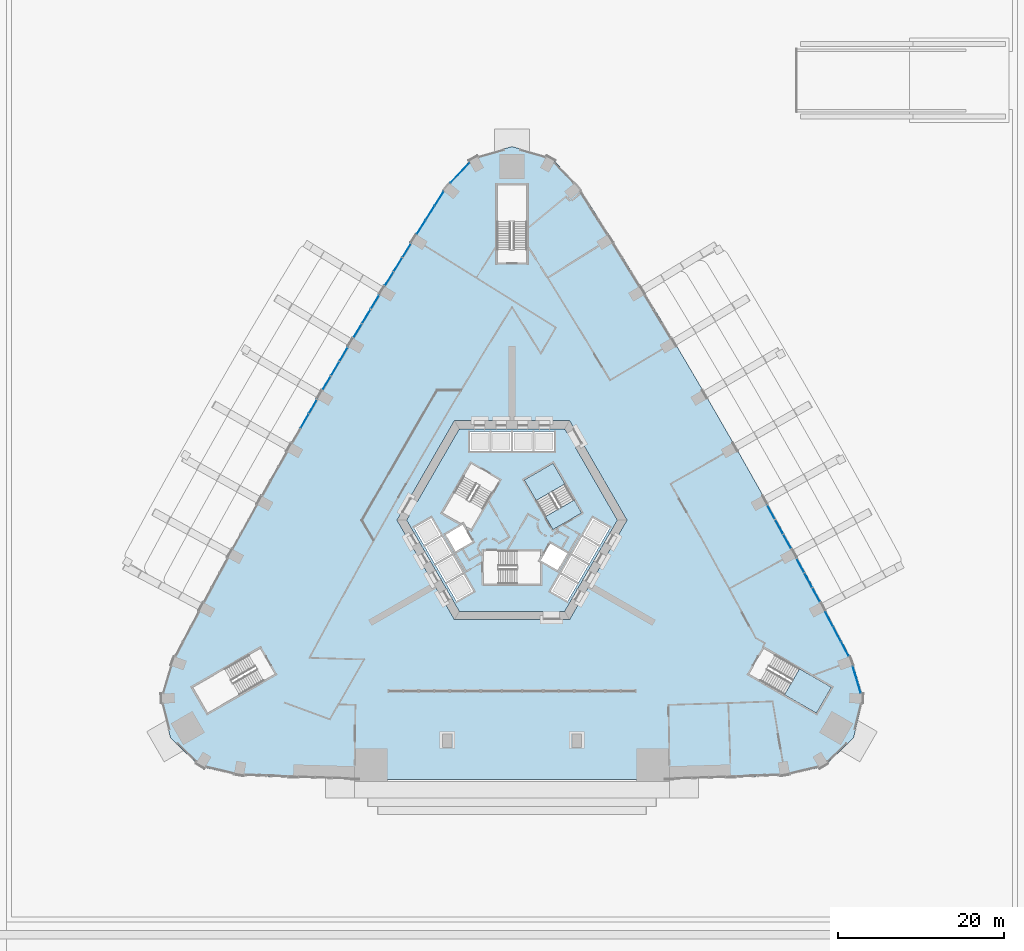
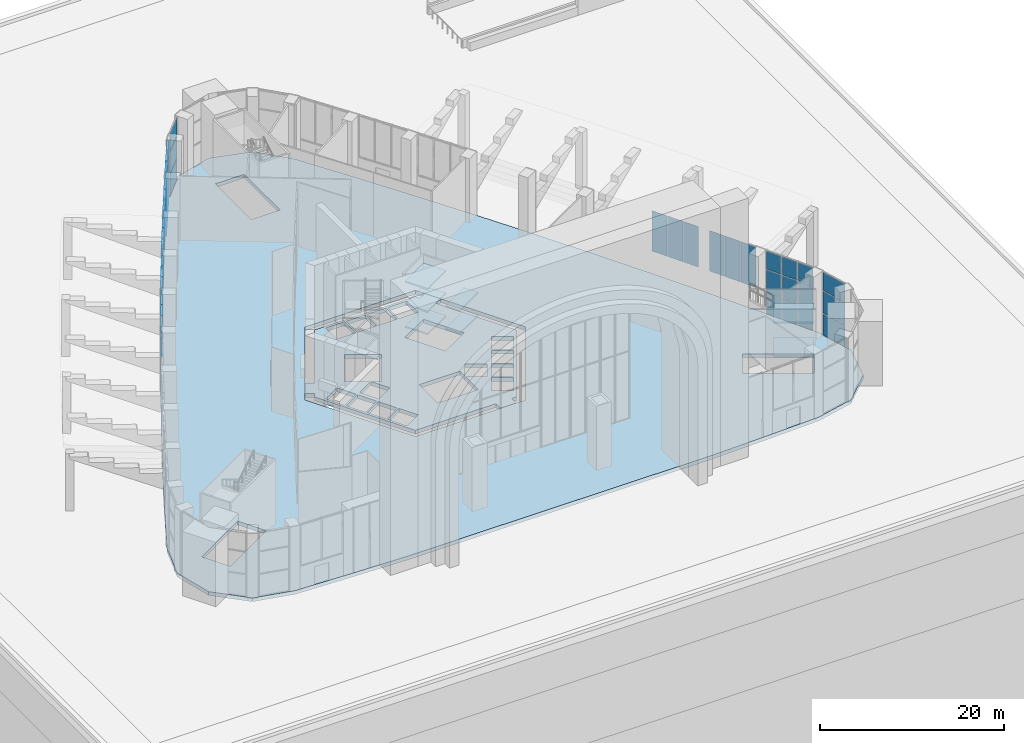
# One storey, part 12 of 36: 41 plates, 9 slabs, 12 elements without a shape of their own.
"""IFC4 building model written with IfcOpenShell, lengths in metres."""

from ifc_helpers import new_model, si_unit, direction, frame, origin, origin_2d, place, context, subcontext, project, spatial, polyline, rectangle, outline, extrude, material, layer, layer_set, type_object, element, aggregate, save


model = new_model("IFC4")

# Units and contexts
model_context = context("Model", 3, precision=1e-05, world=origin(), true_north=direction((0.0, 1.0)))
body_context = subcontext(model_context, "Body", "Model", "MODEL_VIEW")
ifc_project = project(units=[si_unit("LENGTHUNIT", "METRE"), si_unit("AREAUNIT", "SQUARE_METRE"), si_unit("VOLUMEUNIT", "CUBIC_METRE"), si_unit("PLANEANGLEUNIT", "RADIAN"), si_unit("MASSUNIT", "GRAM", prefix="KILO")], contexts=[model_context])

# Site, building, storey
site_placement = place(None, origin())
site = spatial("IfcSite", under=ifc_project, at=site_placement, CompositionType="ELEMENT")
building_placement = place(site_placement, origin())
building = spatial("IfcBuilding", under=site, at=building_placement, Name="Entoto Arch Interchange Tower", CompositionType="ELEMENT")
storey_placement = place(building_placement, origin())
storey = spatial("IfcBuildingStorey", under=building, at=storey_placement, Name="L00", CompositionType="ELEMENT", Elevation=0.0)

# Slab
ifc_material_1 = material(Name="Concrete C40/50", Category="concrete")
ifc_layer_1 = layer(ifc_material_1, 0.5)
ifc_layer_set_1 = layer_set([ifc_layer_1], Name="Concrete C40/50")
slab_type_1 = type_object("IfcSlabType", Name="Core floor slab 500 C40/50", PredefinedType="FLOOR", material=ifc_layer_set_1)
slab_1_placement = place(storey_placement, frame((0.0, 0.0, -0.5)))
element("IfcSlab", 1, at=slab_1_placement, inside=storey, type_object=slab_type_1, Name="Core floor slab L00", PredefinedType="FLOOR", context=body_context, shape_type="SweptSolid", body=[
    extrude(outline(polyline([(5.75, -9.5), (3.75, -9.5), (3.75, -8.5), (-6.35107421875, -8.5), (-12.701904296875, 2.5), (-12.402099609375, 3.02001953125), (-13.26708984375, 3.52001953125), (-12.26708984375, 5.251953125), (-11.402099609375, 4.751953125), (-6.35107421875, 13.5), (6.35107421875, 13.5), (6.65087890625, 12.97998046875), (7.51708984375, 13.47998046875), (8.51708984375, 11.748046875), (7.65087890625, 11.248046875), (12.701904296875, 2.5), (6.35107421875, -8.5), (5.75, -8.5), (5.75, -9.5)]), holes=[polyline([(-4.637939453125, -6.06689453125), (-5.837890625, -3.988037109375), (-7.916015625, -5.18798828125), (-6.716064453125, -7.26708984375), (-4.637939453125, -6.06689453125)]), polyline([(-5.93798828125, -3.81494140625), (-7.137939453125, -1.737060546875), (-9.216064453125, -2.93701171875), (-8.01611328125, -5.014892578125), (-5.93798828125, -3.81494140625)]), polyline([(5.5048828125, -3.56494140625), (6.705078125, -1.487060546875), (4.626953125, -0.287109375), (3.449951171875, -2.324951171875), (3.449951171875, -1.199951171875), (-1.64990234375, -1.199951171875), (-1.64990234375, -5.199951171875), (3.449951171875, -5.199951171875), (3.449951171875, -2.3779296875), (5.5048828125, -3.56494140625)]), polyline([(-7.238037109375, -1.56298828125), (-8.43798828125, 0.514892578125), (-10.51611328125, -0.68505859375), (-9.31591796875, -2.762939453125), (-7.238037109375, -1.56298828125)]), polyline([(-4.72705078125, -0.113037109375), (-5.904052734375, 1.925048828125), (-4.928955078125, 1.362060546875), (-2.37890625, 5.779052734375), (-5.843017578125, 7.779052734375), (-8.39306640625, 3.362060546875), (-5.949951171875, 1.951904296875), (-8.0048828125, 0.764892578125), (-6.804931640625, -1.31298828125), (-4.72705078125, -0.113037109375)]), polyline([(-8.5380859375, 0.68798828125), (-9.738037109375, 2.76708984375), (-11.81591796875, 1.56689453125), (-10.615966796875, -0.511962890625), (-8.5380859375, 0.68798828125)]), polyline([(-5.10009765625, 10.800048828125), (-2.699951171875, 10.800048828125), (-2.699951171875, 13.199951171875), (-5.10009765625, 13.199951171875), (-5.10009765625, 10.800048828125)]), polyline([(-2.5, 10.800048828125), (-0.10009765625, 10.800048828125), (-0.10009765625, 13.199951171875), (-2.5, 13.199951171875), (-2.5, 10.800048828125)]), polyline([(5.837890625, -3.988037109375), (4.637939453125, -6.06689453125), (6.716064453125, -7.26708984375), (7.916015625, -5.18798828125), (5.837890625, -3.988037109375)]), polyline([(7.137939453125, -1.737060546875), (5.93798828125, -3.81494140625), (8.01611328125, -5.014892578125), (9.216064453125, -2.93701171875), (7.137939453125, -1.737060546875)]), polyline([(8.43798828125, 0.514892578125), (7.238037109375, -1.56298828125), (9.31591796875, -2.762939453125), (10.51611328125, -0.68505859375), (8.43798828125, 0.514892578125)]), polyline([(9.738037109375, 2.76708984375), (8.5380859375, 0.68798828125), (10.615966796875, -0.511962890625), (11.81591796875, 1.56689453125), (9.738037109375, 2.76708984375)]), polyline([(4.029052734375, 2.9208984375), (7.492919921875, 4.9208984375), (4.943115234375, 9.337890625), (1.47900390625, 7.337890625), (4.029052734375, 2.9208984375)]), polyline([(0.10009765625, 13.199951171875), (0.10009765625, 10.800048828125), (2.5, 10.800048828125), (2.5, 13.199951171875), (0.10009765625, 13.199951171875)]), polyline([(2.699951171875, 13.199951171875), (2.699951171875, 10.800048828125), (5.10009765625, 10.800048828125), (5.10009765625, 13.199951171875), (2.699951171875, 13.199951171875)])]), origin(), (0.0, 0.0, 1.0), 0.5),
])

# Stair, slabs
stair_type_1 = type_object("IfcStairType", Name="EXIT STAIR RC 1800", PredefinedType="HALF_TURN_STAIR", material=ifc_material_1)
stair_1_placement = place(storey_placement, origin())
stair_1 = element("IfcStair", 2, at=stair_1_placement, inside=storey, type_object=stair_type_1, Name="L00 Exit stair NE", PredefinedType="HALF_TURN_STAIR")
ifc_layer_2 = layer(ifc_material_1, 0.199951171875)
ifc_layer_set_2 = layer_set([ifc_layer_2], Name="Concrete C40/50")
slab_type_2 = type_object("IfcSlabType", Name="EXIT STAIR LANDING RC 200", PredefinedType="LANDING", material=ifc_layer_set_2)
slab_2_placement = place(storey_placement, frame((0.0, 0.0, 1.300048828125)))
slab_2 = element("IfcSlab", 3, at=slab_2_placement, type_object=slab_type_2, Name="ST-NE landing 1", PredefinedType="LANDING", context=body_context, shape_type="SweptSolid", body=[
    extrude(outline(polyline([(6.373291015625, 6.86083984375), (4.943359375, 9.337890625), (1.479248046875, 7.337890625), (2.9091796875, 4.86083984375), (6.373291015625, 6.86083984375)])), origin(), (0.0, 0.0, 1.0), 0.199951171875),
])
slab_3_placement = place(storey_placement, frame((0.0, 0.0, 2.800048828125)))
slab_3 = element("IfcSlab", 4, at=slab_3_placement, type_object=slab_type_2, Name="ST-NE landing 2", PredefinedType="LANDING", context=body_context, shape_type="SweptSolid", body=[
    extrude(outline(polyline([(8.393310546875, 3.3623046875), (7.493408203125, 4.921142578125), (4.029296875, 2.921142578125), (4.92919921875, 1.3623046875), (8.393310546875, 3.3623046875)])), origin(), (0.0, 0.0, 1.0), 0.199951171875),
])
slab_4_placement = place(storey_placement, frame((0.0, 0.0, 4.300048828125)))
slab_4 = element("IfcSlab", 5, at=slab_4_placement, type_object=slab_type_2, Name="ST-NE landing 3", PredefinedType="LANDING", context=body_context, shape_type="SweptSolid", body=[
    extrude(outline(polyline([(6.373291015625, 6.86083984375), (4.943359375, 9.337890625), (1.479248046875, 7.337890625), (2.9091796875, 4.86083984375), (6.373291015625, 6.86083984375)])), origin(), (0.0, 0.0, 1.0), 0.199951171875),
])
slab_5_placement = place(storey_placement, frame((0.0, 0.0, 5.800048828125)))
slab_5 = element("IfcSlab", 6, at=slab_5_placement, type_object=slab_type_2, Name="ST-NE landing 4", PredefinedType="LANDING", context=body_context, shape_type="SweptSolid", body=[
    extrude(outline(polyline([(8.393310546875, 3.3623046875), (7.493408203125, 4.921142578125), (4.029296875, 2.921142578125), (4.92919921875, 1.3623046875), (8.393310546875, 3.3623046875)])), origin(), (0.0, 0.0, 1.0), 0.199951171875),
])
slab_6_placement = place(storey_placement, frame((0.0, 0.0, 7.300048828125)))
slab_6 = element("IfcSlab", 7, at=slab_6_placement, type_object=slab_type_2, Name="ST-NE landing 5", PredefinedType="LANDING", context=body_context, shape_type="SweptSolid", body=[
    extrude(outline(polyline([(6.373291015625, 6.86083984375), (4.943359375, 9.337890625), (1.479248046875, 7.337890625), (2.9091796875, 4.86083984375), (6.373291015625, 6.86083984375)])), origin(), (0.0, 0.0, 1.0), 0.199951171875),
])
aggregate(stair_1, [slab_2, slab_3, slab_4, slab_5, slab_6])

stair_type_2 = type_object("IfcStairType", Name="PODIUM EXIT STAIR RC 1600", PredefinedType="HALF_TURN_STAIR", material=ifc_material_1)
stair_2_placement = place(storey_placement, origin())
stair_2 = element("IfcStair", 8, at=stair_2_placement, inside=storey, type_object=stair_type_2, Name="L00 Podium exit stair south-east", PredefinedType="HALF_TURN_STAIR")
slab_7_placement = place(storey_placement, frame((0.0, 0.0, 2.050048828125)))
slab_7 = element("IfcSlab", 9, at=slab_7_placement, type_object=slab_type_2, Name="PST-SE landing 1", PredefinedType="LANDING", context=body_context, shape_type="SweptSolid", body=[
    extrude(outline(polyline([(32.84033203125, -18.538818359375), (36.685546875, -20.7587890625), (38.485595703125, -17.64111328125), (34.640380859375, -15.421142578125), (32.84033203125, -18.538818359375)])), origin(), (0.0, 0.0, 1.0), 0.199951171875),
])
slab_8_placement = place(storey_placement, frame((0.0, 0.0, 6.550048828125)))
slab_8 = element("IfcSlab", 10, at=slab_8_placement, type_object=slab_type_2, Name="PST-SE landing 3", PredefinedType="LANDING", context=body_context, shape_type="SweptSolid", body=[
    extrude(outline(polyline([(32.84033203125, -18.538818359375), (36.685546875, -20.7587890625), (38.485595703125, -17.64111328125), (34.640380859375, -15.421142578125), (32.84033203125, -18.538818359375)])), origin(), (0.0, 0.0, 1.0), 0.199951171875),
])
aggregate(stair_2, [slab_7, slab_8])

# Curtain wall, plates
ifc_material_2 = material(Name="Aluminium, anodised", Category="aluminium")
curtain_wall_type = type_object("IfcCurtainWallType", Name="CURTAIN WALL GATE HALL", PredefinedType="NOTDEFINED", material=ifc_material_2)
curtain_wall_1_placement = place(storey_placement, origin())
curtain_wall_1 = element("IfcCurtainWall", 11, at=curtain_wall_1_placement, inside=storey, type_object=curtain_wall_type, Name="Gate Hall glazing SE-04 L00", PredefinedType="NOTDEFINED")
ifc_material_3 = material(Name="Clear glass, low-e double glazed", Category="glass")
ifc_layer_3 = layer(ifc_material_3, 0.030029296875)
ifc_layer_set_3 = layer_set([ifc_layer_3], Name="Clear glass, low-e double glazed")
plate_type = type_object("IfcPlateType", Name="GLAZING PANEL GATE HALL 30", PredefinedType="CURTAIN_PANEL", material=ifc_layer_set_3)
plate_1_placement = place(storey_placement, frame((41.54052734375, -16.719482421875, 0.080078125), z_axis=(0.0, 0.0, 1.0), x_axis=(-0.285786537329, 0.958293303264, 0.0)))
plate_1 = element("IfcPlate", 12, at=plate_1_placement, type_object=plate_type, Name="CWG panel 1.1", PredefinedType="CURTAIN_PANEL", context=body_context, shape_type="SweptSolid", body=[
    extrude(rectangle(XDim=3.267578125, YDim=0.030029296875, at=origin_2d()), origin(), (0.0, 0.0, 1.0), 2.8798828125),
])
plate_2_placement = place(storey_placement, frame((41.54052734375, -16.719482421875, 3.0400390625), z_axis=(0.0, 0.0, 1.0), x_axis=(-0.285786537329, 0.958293303264, 0.0)))
plate_2 = element("IfcPlate", 13, at=plate_2_placement, type_object=plate_type, Name="CWG panel 1.2", PredefinedType="CURTAIN_PANEL", context=body_context, shape_type="SweptSolid", body=[
    extrude(rectangle(XDim=3.267578125, YDim=0.030029296875, at=origin_2d()), origin(), (0.0, 0.0, 1.0), 2.919921875),
])
plate_3_placement = place(storey_placement, frame((41.54052734375, -16.719482421875, 6.0400390625), z_axis=(0.0, 0.0, 1.0), x_axis=(-0.285786537329, 0.958293303264, 0.0)))
plate_3 = element("IfcPlate", 14, at=plate_3_placement, type_object=plate_type, Name="CWG panel 1.3", PredefinedType="CURTAIN_PANEL", context=body_context, shape_type="SweptSolid", body=[
    extrude(rectangle(XDim=3.267578125, YDim=0.030029296875, at=origin_2d()), origin(), (0.0, 0.0, 1.0), 2.429931640625),
])
aggregate(curtain_wall_1, [plate_1, plate_2, plate_3])

curtain_wall_2_placement = place(storey_placement, origin())
curtain_wall_2 = element("IfcCurtainWall", 15, at=curtain_wall_2_placement, inside=storey, type_object=curtain_wall_type, Name="Gate Hall glazing NE-01 L00", PredefinedType="NOTDEFINED")
plate_4_placement = place(storey_placement, frame((40.099609375, -13.01416015625, 0.080078125), z_axis=(0.0, 0.0, 1.0), x_axis=(-0.46606744152, 0.884749196075, 0.0)))
plate_4 = element("IfcPlate", 16, at=plate_4_placement, type_object=plate_type, Name="CWG panel 1.1", PredefinedType="CURTAIN_PANEL", context=body_context, shape_type="SweptSolid", body=[
    extrude(rectangle(XDim=1.904052734375, YDim=0.030029296875, at=origin_2d()), origin(), (0.0, 0.0, 1.0), 2.8798828125),
])
plate_5_placement = place(storey_placement, frame((40.099609375, -13.01416015625, 3.0400390625), z_axis=(0.0, 0.0, 1.0), x_axis=(-0.46606744152, 0.884749196075, 0.0)))
plate_5 = element("IfcPlate", 17, at=plate_5_placement, type_object=plate_type, Name="CWG panel 1.2", PredefinedType="CURTAIN_PANEL", context=body_context, shape_type="SweptSolid", body=[
    extrude(rectangle(XDim=1.904052734375, YDim=0.030029296875, at=origin_2d()), origin(), (0.0, 0.0, 1.0), 2.919921875),
])
plate_6_placement = place(storey_placement, frame((40.099609375, -13.01416015625, 6.0400390625), z_axis=(0.0, 0.0, 1.0), x_axis=(-0.46606744152, 0.884749196075, 0.0)))
plate_6 = element("IfcPlate", 18, at=plate_6_placement, type_object=plate_type, Name="CWG panel 1.3", PredefinedType="CURTAIN_PANEL", context=body_context, shape_type="SweptSolid", body=[
    extrude(rectangle(XDim=1.904052734375, YDim=0.030029296875, at=origin_2d()), origin(), (0.0, 0.0, 1.0), 2.429931640625),
])
plate_7_placement = place(storey_placement, frame((39.154052734375, -11.218994140625, 0.080078125), z_axis=(0.0, 0.0, 1.0), x_axis=(-0.46606744152, 0.884749196075, 0.0)))
plate_7 = element("IfcPlate", 19, at=plate_7_placement, type_object=plate_type, Name="CWG panel 2.1", PredefinedType="CURTAIN_PANEL", context=body_context, shape_type="SweptSolid", body=[
    extrude(rectangle(XDim=1.9541015625, YDim=0.030029296875, at=origin_2d()), origin(), (0.0, 0.0, 1.0), 2.8798828125),
])
plate_8_placement = place(storey_placement, frame((39.154052734375, -11.218994140625, 3.0400390625), z_axis=(0.0, 0.0, 1.0), x_axis=(-0.46606744152, 0.884749196075, 0.0)))
plate_8 = element("IfcPlate", 20, at=plate_8_placement, type_object=plate_type, Name="CWG panel 2.2", PredefinedType="CURTAIN_PANEL", context=body_context, shape_type="SweptSolid", body=[
    extrude(rectangle(XDim=1.9541015625, YDim=0.030029296875, at=origin_2d()), origin(), (0.0, 0.0, 1.0), 2.919921875),
])
plate_9_placement = place(storey_placement, frame((39.154052734375, -11.218994140625, 6.0400390625), z_axis=(0.0, 0.0, 1.0), x_axis=(-0.46606744152, 0.884749196075, 0.0)))
plate_9 = element("IfcPlate", 21, at=plate_9_placement, type_object=plate_type, Name="CWG panel 2.3", PredefinedType="CURTAIN_PANEL", context=body_context, shape_type="SweptSolid", body=[
    extrude(rectangle(XDim=1.9541015625, YDim=0.030029296875, at=origin_2d()), origin(), (0.0, 0.0, 1.0), 2.429931640625),
])
plate_10_placement = place(storey_placement, frame((38.208251953125, -9.423828125, 0.080078125), z_axis=(0.0, 0.0, 1.0), x_axis=(-0.46606744152, 0.884749196075, 0.0)))
plate_10 = element("IfcPlate", 22, at=plate_10_placement, type_object=plate_type, Name="CWG panel 3.1", PredefinedType="CURTAIN_PANEL", context=body_context, shape_type="SweptSolid", body=[
    extrude(rectangle(XDim=1.904052734375, YDim=0.030029296875, at=origin_2d()), origin(), (0.0, 0.0, 1.0), 2.8798828125),
])
plate_11_placement = place(storey_placement, frame((38.208251953125, -9.423828125, 3.0400390625), z_axis=(0.0, 0.0, 1.0), x_axis=(-0.46606744152, 0.884749196075, 0.0)))
plate_11 = element("IfcPlate", 23, at=plate_11_placement, type_object=plate_type, Name="CWG panel 3.2", PredefinedType="CURTAIN_PANEL", context=body_context, shape_type="SweptSolid", body=[
    extrude(rectangle(XDim=1.904052734375, YDim=0.030029296875, at=origin_2d()), origin(), (0.0, 0.0, 1.0), 2.919921875),
])
plate_12_placement = place(storey_placement, frame((38.208251953125, -9.423828125, 6.0400390625), z_axis=(0.0, 0.0, 1.0), x_axis=(-0.46606744152, 0.884749196075, 0.0)))
plate_12 = element("IfcPlate", 24, at=plate_12_placement, type_object=plate_type, Name="CWG panel 3.3", PredefinedType="CURTAIN_PANEL", context=body_context, shape_type="SweptSolid", body=[
    extrude(rectangle(XDim=1.904052734375, YDim=0.030029296875, at=origin_2d()), origin(), (0.0, 0.0, 1.0), 2.429931640625),
])
aggregate(curtain_wall_2, [plate_4, plate_5, plate_6, plate_7, plate_8, plate_9, plate_10, plate_11, plate_12])

curtain_wall_3_placement = place(storey_placement, origin())
curtain_wall_3 = element("IfcCurtainWall", 25, at=curtain_wall_3_placement, inside=storey, type_object=curtain_wall_type, Name="Gate Hall glazing NE-02 L00", PredefinedType="NOTDEFINED")
plate_13_placement = place(storey_placement, frame((36.65625, -6.512451171875, 3.080078125), z_axis=(0.0, 0.0, 1.0), x_axis=(-0.474528665706, 0.880240049886, 0.0)))
plate_13 = element("IfcPlate", 26, at=plate_13_placement, type_object=plate_type, Name="CWG panel 1.1", PredefinedType="CURTAIN_PANEL", context=body_context, shape_type="SweptSolid", body=[
    extrude(rectangle(XDim=1.88916015625, YDim=0.030029296875, at=origin_2d()), origin(), (0.0, 0.0, 1.0), 5.389892578125),
])
plate_14_placement = place(storey_placement, frame((35.700439453125, -4.739501953125, 3.080078125), z_axis=(0.0, 0.0, 1.0), x_axis=(-0.474528665706, 0.880240049886, 0.0)))
plate_14 = element("IfcPlate", 27, at=plate_14_placement, type_object=plate_type, Name="CWG panel 2.1", PredefinedType="CURTAIN_PANEL", context=body_context, shape_type="SweptSolid", body=[
    extrude(rectangle(XDim=1.939208984375, YDim=0.030029296875, at=origin_2d()), origin(), (0.0, 0.0, 1.0), 5.389892578125),
])
plate_15_placement = place(storey_placement, frame((34.74462890625, -2.966552734375, 3.080078125), z_axis=(0.0, 0.0, 1.0), x_axis=(-0.474528665706, 0.880240049886, 0.0)))
plate_15 = element("IfcPlate", 28, at=plate_15_placement, type_object=plate_type, Name="CWG panel 3.1", PredefinedType="CURTAIN_PANEL", context=body_context, shape_type="SweptSolid", body=[
    extrude(rectangle(XDim=1.88916015625, YDim=0.030029296875, at=origin_2d()), origin(), (0.0, 0.0, 1.0), 5.389892578125),
])
aggregate(curtain_wall_3, [plate_13, plate_14, plate_15])

curtain_wall_4_placement = place(storey_placement, origin())
curtain_wall_4 = element("IfcCurtainWall", 29, at=curtain_wall_4_placement, inside=storey, type_object=curtain_wall_type, Name="Gate Hall glazing NE-03 L00", PredefinedType="NOTDEFINED")
plate_16_placement = place(storey_placement, frame((33.168212890625, -0.07763671875, 3.080078125), z_axis=(0.0, 0.0, 1.0), x_axis=(-0.483267495036, 0.875472745573, 0.0)))
plate_16 = element("IfcPlate", 30, at=plate_16_placement, type_object=plate_type, Name="CWG panel 1.1", PredefinedType="CURTAIN_PANEL", context=body_context, shape_type="SweptSolid", body=[
    extrude(rectangle(XDim=1.888916015625, YDim=0.030029296875, at=origin_2d()), origin(), (0.0, 0.0, 1.0), 5.389892578125),
])
plate_17_placement = place(storey_placement, frame((32.195068359375, 1.685546875, 3.080078125), z_axis=(0.0, 0.0, 1.0), x_axis=(-0.483267495036, 0.875472745573, 0.0)))
plate_17 = element("IfcPlate", 31, at=plate_17_placement, type_object=plate_type, Name="CWG panel 2.1", PredefinedType="CURTAIN_PANEL", context=body_context, shape_type="SweptSolid", body=[
    extrude(rectangle(XDim=1.93896484375, YDim=0.030029296875, at=origin_2d()), origin(), (0.0, 0.0, 1.0), 5.389892578125),
])
plate_18_placement = place(storey_placement, frame((31.2216796875, 3.44873046875, 3.080078125), z_axis=(0.0, 0.0, 1.0), x_axis=(-0.483267495036, 0.875472745573, 0.0)))
plate_18 = element("IfcPlate", 32, at=plate_18_placement, type_object=plate_type, Name="CWG panel 3.1", PredefinedType="CURTAIN_PANEL", context=body_context, shape_type="SweptSolid", body=[
    extrude(rectangle(XDim=1.888916015625, YDim=0.030029296875, at=origin_2d()), origin(), (0.0, 0.0, 1.0), 5.389892578125),
])
aggregate(curtain_wall_4, [plate_16, plate_17, plate_18])

curtain_wall_5_placement = place(storey_placement, origin())
curtain_wall_5 = element("IfcCurtainWall", 33, at=curtain_wall_5_placement, inside=storey, type_object=curtain_wall_type, Name="Gate Hall glazing N-04 L00", PredefinedType="NOTDEFINED")
plate_19_placement = place(storey_placement, frame((-6.291015625, 44.3349609375, 0.080078125), z_axis=(0.0, 0.0, 1.0), x_axis=(-0.686928321201, -0.726725176069, 0.0)))
plate_19 = element("IfcPlate", 34, at=plate_19_placement, type_object=plate_type, Name="CWG panel 1.1", PredefinedType="CURTAIN_PANEL", context=body_context, shape_type="SweptSolid", body=[
    extrude(rectangle(XDim=3.267578125, YDim=0.030029296875, at=origin_2d()), origin(), (0.0, 0.0, 1.0), 2.8798828125),
])
plate_20_placement = place(storey_placement, frame((-6.291015625, 44.3349609375, 3.0400390625), z_axis=(0.0, 0.0, 1.0), x_axis=(-0.686928321201, -0.726725176069, 0.0)))
plate_20 = element("IfcPlate", 35, at=plate_20_placement, type_object=plate_type, Name="CWG panel 1.2", PredefinedType="CURTAIN_PANEL", context=body_context, shape_type="SweptSolid", body=[
    extrude(rectangle(XDim=3.267578125, YDim=0.030029296875, at=origin_2d()), origin(), (0.0, 0.0, 1.0), 2.919921875),
])
plate_21_placement = place(storey_placement, frame((-6.291015625, 44.3349609375, 6.0400390625), z_axis=(0.0, 0.0, 1.0), x_axis=(-0.686928321201, -0.726725176069, 0.0)))
plate_21 = element("IfcPlate", 36, at=plate_21_placement, type_object=plate_type, Name="CWG panel 1.3", PredefinedType="CURTAIN_PANEL", context=body_context, shape_type="SweptSolid", body=[
    extrude(rectangle(XDim=3.267578125, YDim=0.030029296875, at=origin_2d()), origin(), (0.0, 0.0, 1.0), 2.429931640625),
])
aggregate(curtain_wall_5, [plate_19, plate_20, plate_21])

curtain_wall_6_placement = place(storey_placement, origin())
curtain_wall_6 = element("IfcCurtainWall", 37, at=curtain_wall_6_placement, inside=storey, type_object=curtain_wall_type, Name="Gate Hall glazing NW-01 L00", PredefinedType="NOTDEFINED")
plate_22_placement = place(storey_placement, frame((-8.779052734375, 41.235107421875, 0.080078125), z_axis=(0.0, 0.0, 1.0), x_axis=(-0.533247908708, -0.845959022564, 0.0)))
plate_22 = element("IfcPlate", 38, at=plate_22_placement, type_object=plate_type, Name="CWG panel 1.1", PredefinedType="CURTAIN_PANEL", context=body_context, shape_type="SweptSolid", body=[
    extrude(rectangle(XDim=1.904052734375, YDim=0.030029296875, at=origin_2d()), origin(), (0.0, 0.0, 1.0), 2.8798828125),
])
plate_23_placement = place(storey_placement, frame((-8.779052734375, 41.235107421875, 3.0400390625), z_axis=(0.0, 0.0, 1.0), x_axis=(-0.533247908708, -0.845959022564, 0.0)))
plate_23 = element("IfcPlate", 39, at=plate_23_placement, type_object=plate_type, Name="CWG panel 1.2", PredefinedType="CURTAIN_PANEL", context=body_context, shape_type="SweptSolid", body=[
    extrude(rectangle(XDim=1.904052734375, YDim=0.030029296875, at=origin_2d()), origin(), (0.0, 0.0, 1.0), 2.919921875),
])
plate_24_placement = place(storey_placement, frame((-8.779052734375, 41.235107421875, 6.0400390625), z_axis=(0.0, 0.0, 1.0), x_axis=(-0.533247908708, -0.845959022564, 0.0)))
plate_24 = element("IfcPlate", 40, at=plate_24_placement, type_object=plate_type, Name="CWG panel 1.3", PredefinedType="CURTAIN_PANEL", context=body_context, shape_type="SweptSolid", body=[
    extrude(rectangle(XDim=1.904052734375, YDim=0.030029296875, at=origin_2d()), origin(), (0.0, 0.0, 1.0), 2.429931640625),
])
plate_25_placement = place(storey_placement, frame((-9.861083984375, 39.5185546875, 0.080078125), z_axis=(0.0, 0.0, 1.0), x_axis=(-0.533247908708, -0.845959022564, 0.0)))
plate_25 = element("IfcPlate", 41, at=plate_25_placement, type_object=plate_type, Name="CWG panel 2.1", PredefinedType="CURTAIN_PANEL", context=body_context, shape_type="SweptSolid", body=[
    extrude(rectangle(XDim=1.9541015625, YDim=0.030029296875, at=origin_2d()), origin(), (0.0, 0.0, 1.0), 2.8798828125),
])
plate_26_placement = place(storey_placement, frame((-9.861083984375, 39.5185546875, 3.0400390625), z_axis=(0.0, 0.0, 1.0), x_axis=(-0.533247908708, -0.845959022564, 0.0)))
plate_26 = element("IfcPlate", 42, at=plate_26_placement, type_object=plate_type, Name="CWG panel 2.2", PredefinedType="CURTAIN_PANEL", context=body_context, shape_type="SweptSolid", body=[
    extrude(rectangle(XDim=1.9541015625, YDim=0.030029296875, at=origin_2d()), origin(), (0.0, 0.0, 1.0), 2.919921875),
])
plate_27_placement = place(storey_placement, frame((-9.861083984375, 39.5185546875, 6.0400390625), z_axis=(0.0, 0.0, 1.0), x_axis=(-0.533247908708, -0.845959022564, 0.0)))
plate_27 = element("IfcPlate", 43, at=plate_27_placement, type_object=plate_type, Name="CWG panel 2.3", PredefinedType="CURTAIN_PANEL", context=body_context, shape_type="SweptSolid", body=[
    extrude(rectangle(XDim=1.9541015625, YDim=0.030029296875, at=origin_2d()), origin(), (0.0, 0.0, 1.0), 2.429931640625),
])
plate_28_placement = place(storey_placement, frame((-10.943115234375, 37.802001953125, 0.080078125), z_axis=(0.0, 0.0, 1.0), x_axis=(-0.533247908708, -0.845959022564, 0.0)))
plate_28 = element("IfcPlate", 44, at=plate_28_placement, type_object=plate_type, Name="CWG panel 3.1", PredefinedType="CURTAIN_PANEL", context=body_context, shape_type="SweptSolid", body=[
    extrude(rectangle(XDim=1.904052734375, YDim=0.030029296875, at=origin_2d()), origin(), (0.0, 0.0, 1.0), 2.8798828125),
])
plate_29_placement = place(storey_placement, frame((-10.943115234375, 37.802001953125, 3.0400390625), z_axis=(0.0, 0.0, 1.0), x_axis=(-0.533247908708, -0.845959022564, 0.0)))
plate_29 = element("IfcPlate", 45, at=plate_29_placement, type_object=plate_type, Name="CWG panel 3.2", PredefinedType="CURTAIN_PANEL", context=body_context, shape_type="SweptSolid", body=[
    extrude(rectangle(XDim=1.904052734375, YDim=0.030029296875, at=origin_2d()), origin(), (0.0, 0.0, 1.0), 2.919921875),
])
plate_30_placement = place(storey_placement, frame((-10.943115234375, 37.802001953125, 6.0400390625), z_axis=(0.0, 0.0, 1.0), x_axis=(-0.533247908708, -0.845959022564, 0.0)))
plate_30 = element("IfcPlate", 46, at=plate_30_placement, type_object=plate_type, Name="CWG panel 3.3", PredefinedType="CURTAIN_PANEL", context=body_context, shape_type="SweptSolid", body=[
    extrude(rectangle(XDim=1.904052734375, YDim=0.030029296875, at=origin_2d()), origin(), (0.0, 0.0, 1.0), 2.429931640625),
])
aggregate(curtain_wall_6, [plate_22, plate_23, plate_24, plate_25, plate_26, plate_27, plate_28, plate_29, plate_30])

curtain_wall_7_placement = place(storey_placement, origin())
curtain_wall_7 = element("IfcCurtainWall", 47, at=curtain_wall_7_placement, inside=storey, type_object=curtain_wall_type, Name="Gate Hall glazing NW-02 L00", PredefinedType="NOTDEFINED")
plate_31_placement = place(storey_placement, frame((-12.6875, 35.0029296875, 3.080078125), z_axis=(0.0, 0.0, 1.0), x_axis=(-0.525009091339, -0.851096618494, 0.0)))
plate_31 = element("IfcPlate", 48, at=plate_31_placement, type_object=plate_type, Name="CWG panel 1.1", PredefinedType="CURTAIN_PANEL", context=body_context, shape_type="SweptSolid", body=[
    extrude(rectangle(XDim=1.889404296875, YDim=0.030029296875, at=origin_2d()), origin(), (0.0, 0.0, 1.0), 5.389892578125),
])
plate_32_placement = place(storey_placement, frame((-13.7451171875, 33.28857421875, 3.080078125), z_axis=(0.0, 0.0, 1.0), x_axis=(-0.525009091339, -0.851096618494, 0.0)))
plate_32 = element("IfcPlate", 49, at=plate_32_placement, type_object=plate_type, Name="CWG panel 2.1", PredefinedType="CURTAIN_PANEL", context=body_context, shape_type="SweptSolid", body=[
    extrude(rectangle(XDim=1.939208984375, YDim=0.030029296875, at=origin_2d()), origin(), (0.0, 0.0, 1.0), 5.389892578125),
])
plate_33_placement = place(storey_placement, frame((-14.802490234375, 31.57421875, 3.080078125), z_axis=(0.0, 0.0, 1.0), x_axis=(-0.525009091339, -0.851096618494, 0.0)))
plate_33 = element("IfcPlate", 50, at=plate_33_placement, type_object=plate_type, Name="CWG panel 3.1", PredefinedType="CURTAIN_PANEL", context=body_context, shape_type="SweptSolid", body=[
    extrude(rectangle(XDim=1.889404296875, YDim=0.030029296875, at=origin_2d()), origin(), (0.0, 0.0, 1.0), 5.389892578125),
])
aggregate(curtain_wall_7, [plate_31, plate_32, plate_33])

curtain_wall_8_placement = place(storey_placement, origin())
curtain_wall_8 = element("IfcCurtainWall", 51, at=curtain_wall_8_placement, inside=storey, type_object=curtain_wall_type, Name="Gate Hall glazing NW-03 L00", PredefinedType="NOTDEFINED")
plate_34_placement = place(storey_placement, frame((-16.515869140625, 28.763671875, 3.080078125), z_axis=(0.0, 0.0, 1.0), x_axis=(-0.516681494958, -0.856177687614, 0.0)))
plate_34 = element("IfcPlate", 52, at=plate_34_placement, type_object=plate_type, Name="CWG panel 1.1", PredefinedType="CURTAIN_PANEL", context=body_context, shape_type="SweptSolid", body=[
    extrude(rectangle(XDim=1.889404296875, YDim=0.030029296875, at=origin_2d()), origin(), (0.0, 0.0, 1.0), 5.389892578125),
])
plate_35_placement = place(storey_placement, frame((-17.556396484375, 27.0390625, 3.080078125), z_axis=(0.0, 0.0, 1.0), x_axis=(-0.516681494958, -0.856177687614, 0.0)))
plate_35 = element("IfcPlate", 53, at=plate_35_placement, type_object=plate_type, Name="CWG panel 2.1", PredefinedType="CURTAIN_PANEL", context=body_context, shape_type="SweptSolid", body=[
    extrude(rectangle(XDim=1.939208984375, YDim=0.030029296875, at=origin_2d()), origin(), (0.0, 0.0, 1.0), 5.389892578125),
])
plate_36_placement = place(storey_placement, frame((-18.59716796875, 25.314453125, 3.080078125), z_axis=(0.0, 0.0, 1.0), x_axis=(-0.516681494958, -0.856177687614, 0.0)))
plate_36 = element("IfcPlate", 54, at=plate_36_placement, type_object=plate_type, Name="CWG panel 3.1", PredefinedType="CURTAIN_PANEL", context=body_context, shape_type="SweptSolid", body=[
    extrude(rectangle(XDim=1.889404296875, YDim=0.030029296875, at=origin_2d()), origin(), (0.0, 0.0, 1.0), 5.389892578125),
])
aggregate(curtain_wall_8, [plate_34, plate_35, plate_36])

curtain_wall_9_placement = place(storey_placement, origin())
curtain_wall_9 = element("IfcCurtainWall", 55, at=curtain_wall_9_placement, inside=storey, type_object=curtain_wall_type, Name="Gate Hall glazing NW-04 L00", PredefinedType="NOTDEFINED")
plate_37_placement = place(storey_placement, frame((-20.2841796875, 22.488525390625, 3.080078125), z_axis=(0.0, 0.0, 1.0), x_axis=(-0.508498008469, -0.861063165733, 0.0)))
plate_37 = element("IfcPlate", 56, at=plate_37_placement, type_object=plate_type, Name="CWG panel 1.1", PredefinedType="CURTAIN_PANEL", context=body_context, shape_type="SweptSolid", body=[
    extrude(rectangle(XDim=1.889404296875, YDim=0.030029296875, at=origin_2d()), origin(), (0.0, 0.0, 1.0), 5.389892578125),
])
plate_38_placement = place(storey_placement, frame((-21.30859375, 20.75390625, 3.080078125), z_axis=(0.0, 0.0, 1.0), x_axis=(-0.508498008469, -0.861063165733, 0.0)))
plate_38 = element("IfcPlate", 57, at=plate_38_placement, type_object=plate_type, Name="CWG panel 2.1", PredefinedType="CURTAIN_PANEL", context=body_context, shape_type="SweptSolid", body=[
    extrude(rectangle(XDim=1.939453125, YDim=0.030029296875, at=origin_2d()), origin(), (0.0, 0.0, 1.0), 5.389892578125),
])
plate_39_placement = place(storey_placement, frame((-22.332763671875, 19.01953125, 3.080078125), z_axis=(0.0, 0.0, 1.0), x_axis=(-0.508498008469, -0.861063165733, 0.0)))
plate_39 = element("IfcPlate", 58, at=plate_39_placement, type_object=plate_type, Name="CWG panel 3.1", PredefinedType="CURTAIN_PANEL", context=body_context, shape_type="SweptSolid", body=[
    extrude(rectangle(XDim=1.889404296875, YDim=0.030029296875, at=origin_2d()), origin(), (0.0, 0.0, 1.0), 5.389892578125),
])
aggregate(curtain_wall_9, [plate_37, plate_38, plate_39])

curtain_wall_10_placement = place(storey_placement, origin())
curtain_wall_10 = element("IfcCurtainWall", 59, at=curtain_wall_10_placement, inside=storey, type_object=curtain_wall_type, Name="Gate Hall glazing NW-05 L00", PredefinedType="NOTDEFINED")
plate_40_placement = place(storey_placement, frame((-23.991455078125, 16.1767578125, 3.080078125), z_axis=(0.0, 0.0, 1.0), x_axis=(-0.500165905747, -0.865929596866, 0.0)))
plate_40 = element("IfcPlate", 60, at=plate_40_placement, type_object=plate_type, Name="CWG panel 1.1", PredefinedType="CURTAIN_PANEL", context=body_context, shape_type="SweptSolid", body=[
    extrude(rectangle(XDim=1.888671875, YDim=0.030029296875, at=origin_2d()), origin(), (0.0, 0.0, 1.0), 5.389892578125),
])
plate_41_placement = place(storey_placement, frame((-24.99853515625, 14.43310546875, 3.080078125), z_axis=(0.0, 0.0, 1.0), x_axis=(-0.500165905747, -0.865929596866, 0.0)))
plate_41 = element("IfcPlate", 61, at=plate_41_placement, type_object=plate_type, Name="CWG panel 2.1", PredefinedType="CURTAIN_PANEL", context=body_context, shape_type="SweptSolid", body=[
    extrude(rectangle(XDim=1.938720703125, YDim=0.030029296875, at=origin_2d()), origin(), (0.0, 0.0, 1.0), 5.389892578125),
])
aggregate(curtain_wall_10, [plate_40, plate_41])

# Slab
ifc_layer_4 = layer(ifc_material_1, 0.5)
ifc_layer_set_4 = layer_set([ifc_layer_4], Name="Concrete C40/50")
slab_type_3 = type_object("IfcSlabType", Name="Post-tensioned flat plate 500 C40/50", PredefinedType="FLOOR", material=ifc_layer_set_4)
slab_9_placement = place(storey_placement, frame((0.0, 0.0, -0.5)))
element("IfcSlab", 62, at=slab_9_placement, inside=storey, type_object=slab_type_3, Name="Floor slab L00", PredefinedType="FLOOR", context=body_context, shape_type="SweptSolid", body=[
    extrude(outline(polyline([(-32.910888671875, -28.283935546875), (-26.376953125, -28.5400390625), (-19.0, -28.761962890625), (19.0, -28.761962890625), (26.376953125, -28.5400390625), (32.910888671875, -28.283935546875), (37.618896484375, -27.179931640625), (41.14697265625, -23.756103515625), (42.347900390625, -18.989013671875), (40.990966796875, -14.43798828125), (37.548095703125, -7.903076171875), (34.072998046875, -1.458984375), (30.535888671875, 4.949951171875), (26.93701171875, 11.325927734375), (23.277099609375, 17.6650390625), (19.554931640625, 23.969970703125), (15.77294921875, 30.238037109375), (11.929931640625, 36.469970703125), (7.991943359375, 42.718017578125), (4.72900390625, 46.1689453125), (0.0, 47.511962890625), (-4.72900390625, 46.1689453125), (-7.991943359375, 42.718017578125), (-11.929931640625, 36.469970703125), (-15.77294921875, 30.238037109375), (-19.554931640625, 23.969970703125), (-23.277099609375, 17.6650390625), (-26.93701171875, 11.325927734375), (-30.535888671875, 4.949951171875), (-34.072998046875, -1.458984375), (-37.548095703125, -7.903076171875), (-40.990966796875, -14.43798828125), (-42.347900390625, -18.989013671875), (-41.14697265625, -23.756103515625), (-37.618896484375, -27.179931640625), (-32.910888671875, -28.283935546875)]), holes=[polyline([(-29.930908203125, -16.85888671875), (-31.73095703125, -13.740966796875), (-38.486083984375, -17.64111328125), (-36.68603515625, -20.759033203125), (-29.930908203125, -16.85888671875)]), polyline([(31.73095703125, -13.740966796875), (29.930908203125, -16.85888671875), (36.68603515625, -20.759033203125), (38.486083984375, -17.64111328125), (31.73095703125, -13.740966796875)]), polyline([(6.927978515625, -9.5), (13.85595703125, 2.5), (6.927978515625, 14.5), (-6.927978515625, 14.5), (-13.85595703125, 2.5), (-6.927978515625, -9.5), (6.927978515625, -9.5)]), polyline([(-1.800048828125, 35.10009765625), (1.800048828125, 35.10009765625), (1.800048828125, 42.89990234375), (-1.800048828125, 42.89990234375), (-1.800048828125, 35.10009765625)])]), origin(), (0.0, 0.0, 1.0), 0.5),
])

save(model, "model.ifc")
